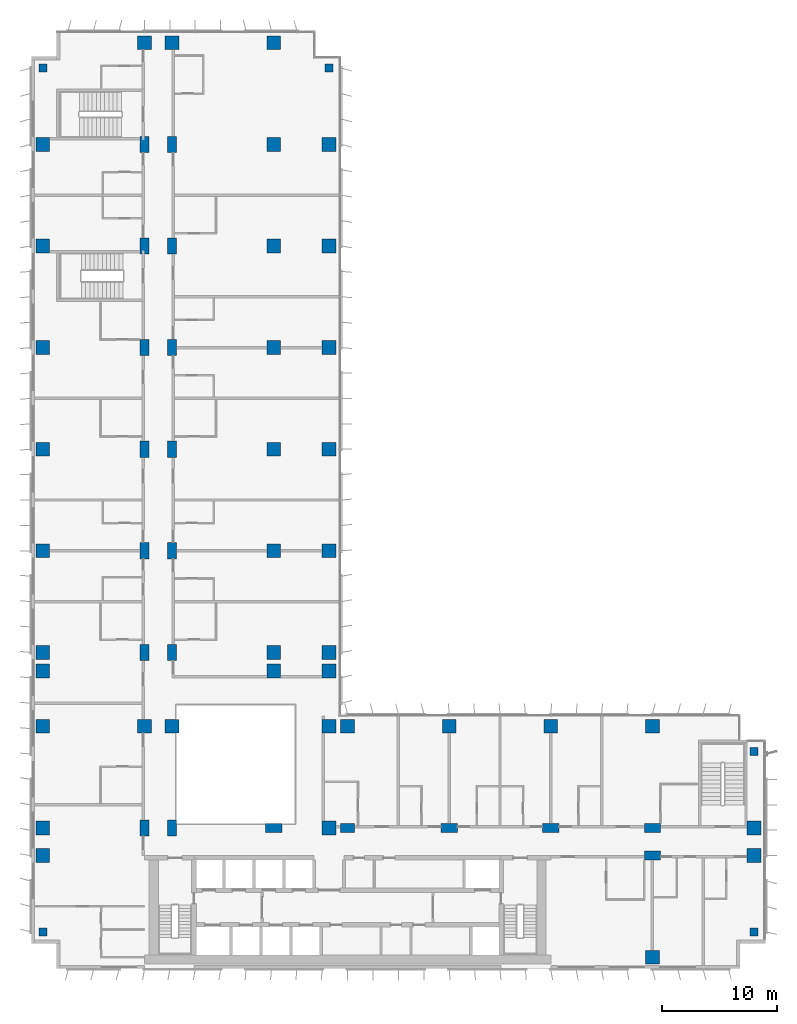
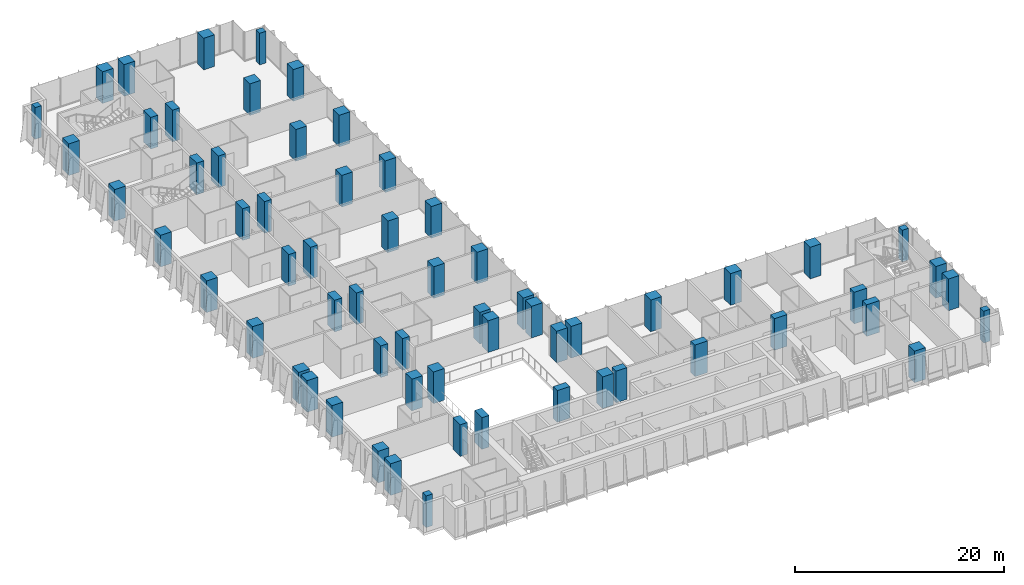
# One storey, part 1 of 23: 63 columns.
"""IFC4 building model written with IfcOpenShell, lengths in metres."""

from ifc_helpers import new_model, si_unit, direction, frame, origin, origin_2d, place, context, subcontext, project, spatial, rectangle, extrude, material, material_profile, profile_set, type_object, element, save


model = new_model("IFC4")

# Units and contexts
model_context = context("Model", 3, precision=1e-05, world=origin(), true_north=direction((0.0, 1.0)))
body_context = subcontext(model_context, "Body", "Model", "MODEL_VIEW")
ifc_project = project(units=[si_unit("LENGTHUNIT", "METRE"), si_unit("AREAUNIT", "SQUARE_METRE"), si_unit("VOLUMEUNIT", "CUBIC_METRE"), si_unit("PLANEANGLEUNIT", "RADIAN"), si_unit("MASSUNIT", "GRAM", prefix="KILO")], contexts=[model_context])

# Site, building, storey
site_placement = place(None, origin())
site = spatial("IfcSite", under=ifc_project, at=site_placement, CompositionType="ELEMENT")
building_placement = place(site_placement, origin())
building = spatial("IfcBuilding", under=site, at=building_placement, Name="Kemantara Hotel Tower", CompositionType="ELEMENT")
storey_placement = place(building_placement, frame((0.0, 0.0, 142.0)))
storey = spatial("IfcBuildingStorey", under=building, at=storey_placement, Name="L34", CompositionType="ELEMENT", Elevation=142.0)

# Columns
ifc_material = material(Name="Concrete fc 60 MPa", Category="concrete")
ifc_material_profile_1 = material_profile(ifc_material, rectangle(XDim=1.199951171875, YDim=1.199951171875, at=origin_2d()), Name="RC 1200X1200")
ifc_profile_set_1 = profile_set([ifc_material_profile_1], Name="Concrete fc 60 MPa")
column_type_1 = type_object("IfcColumnType", Name="RC COLUMN 1200X1200 FC60", PredefinedType="COLUMN", material=ifc_profile_set_1)
for number, where, z_axis, x_axis, name in (
    (1, (1.0, 9.800048828125, 0.0), (0.0, 0.0, 1.0), (1.0, 0.0, 0.0), "COLUMN 1/B L34"),
    (2, (1.0, 12.199951171875, 0.0), (0.0, 0.0, 1.0), (1.0, 0.0, 0.0), "COLUMN 1/BA L34"),
    (3, (1.0, 21.0, 0.0), (0.0, 0.0, 1.0), (1.0, 0.0, 0.0), "COLUMN 1/C L34"),
    (4, (1.0, 25.800048828125, 0.0), (0.0, 0.0, 1.0), (1.0, 0.0, 0.0), "COLUMN 1/CA L34"),
    (5, (1.0, 27.39990234375, 0.0), (0.0, 0.0, 1.0), (1.0, 0.0, 0.0), "COLUMN 1/D L34"),
    (6, (1.0, 36.199951171875, 0.0), (0.0, 0.0, 1.0), (1.0, 0.0, 0.0), "COLUMN 1/E L34"),
    (7, (1.0, 45.0, 0.0), (0.0, 0.0, 1.0), (1.0, 0.0, 0.0), "COLUMN 1/F L34"),
    (8, (1.0, 53.800048828125, 0.0), (0.0, 0.0, 1.0), (1.0, 0.0, 0.0), "COLUMN 1/G L34"),
    (9, (1.0, 62.60009765625, 0.0), (0.0, 0.0, 1.0), (1.0, 0.0, 0.0), "COLUMN 1/H L34"),
    (10, (1.0, 71.39990234375, 0.0), (0.0, 0.0, 1.0), (1.0, 0.0, 0.0), "COLUMN 1/J L34"),
    (11, (9.800048828125, 21.0, 0.0), (0.0, 0.0, 1.0), (1.0, 0.0, 0.0), "COLUMN 2/C L34"),
    (12, (9.800048828125, 80.199951171875, 0.0), (0.0, 0.0, 1.0), (1.0, 0.0, 0.0), "COLUMN 2/K L34"),
    (13, (12.199951171875, 21.0, 0.0), (0.0, 0.0, 1.0), (1.0, 0.0, 0.0), "COLUMN 2A/C L34"),
    (14, (12.199951171875, 80.199951171875, 0.0), (0.0, 0.0, 1.0), (1.0, 0.0, 0.0), "COLUMN 2A/K L34"),
    (15, (21.0, 25.800048828125, 0.0), (0.0, 0.0, 1.0), (1.0, 0.0, 0.0), "COLUMN 3/CA L34"),
    (16, (21.0, 27.39990234375, 0.0), (0.0, 0.0, 1.0), (1.0, 0.0, 0.0), "COLUMN 3/D L34"),
    (17, (21.0, 36.199951171875, 0.0), (0.0, 0.0, 1.0), (1.0, 0.0, 0.0), "COLUMN 3/E L34"),
    (18, (21.0, 45.0, 0.0), (0.0, 0.0, 1.0), (1.0, 0.0, 0.0), "COLUMN 3/F L34"),
    (19, (21.0, 53.800048828125, 0.0), (0.0, 0.0, 1.0), (1.0, 0.0, 0.0), "COLUMN 3/G L34"),
    (20, (21.0, 62.60009765625, 0.0), (0.0, 0.0, 1.0), (1.0, 0.0, 0.0), "COLUMN 3/H L34"),
    (21, (21.0, 71.39990234375, 0.0), (0.0, 0.0, 1.0), (1.0, 0.0, 0.0), "COLUMN 3/J L34"),
    (22, (21.0, 80.199951171875, 0.0), (0.0, 0.0, 1.0), (1.0, 0.0, 0.0), "COLUMN 3/K L34"),
    (23, (25.800048828125, 12.199951171875, 0.0), (0.0, 0.0, 1.0), (1.0, 0.0, 0.0), "COLUMN 3A/BA L34"),
    (24, (25.800048828125, 21.0, 0.0), (0.0, 0.0, 1.0), (1.0, 0.0, 0.0), "COLUMN 3A/C L34"),
    (25, (25.800048828125, 25.800048828125, 0.0), (0.0, 0.0, 1.0), (1.0, 0.0, 0.0), "COLUMN 3A/CA L34"),
    (26, (25.800048828125, 27.39990234375, 0.0), (0.0, 0.0, 1.0), (1.0, 0.0, 0.0), "COLUMN 3A/D L34"),
    (27, (25.800048828125, 36.199951171875, 0.0), (0.0, 0.0, 1.0), (1.0, 0.0, 0.0), "COLUMN 3A/E L34"),
    (28, (25.800048828125, 45.0, 0.0), (0.0, 0.0, 1.0), (1.0, 0.0, 0.0), "COLUMN 3A/F L34"),
    (29, (25.800048828125, 53.800048828125, 0.0), (0.0, 0.0, 1.0), (1.0, 0.0, 0.0), "COLUMN 3A/G L34"),
    (30, (25.800048828125, 62.60009765625, 0.0), (0.0, 0.0, 1.0), (1.0, 0.0, 0.0), "COLUMN 3A/H L34"),
    (31, (25.800048828125, 71.39990234375, 0.0), (0.0, 0.0, 1.0), (1.0, 0.0, 0.0), "COLUMN 3A/J L34"),
    (32, (27.39990234375, 21.0, 0.0), (0.0, 0.0, 1.0), (1.0, 0.0, 0.0), "COLUMN 4/C L34"),
    (33, (36.199951171875, 21.0, 0.0), (0.0, 0.0, 1.0), (1.0, 0.0, 0.0), "COLUMN 5/C L34"),
    (34, (45.0, 21.0, 0.0), (0.0, 0.0, 1.0), (1.0, 0.0, 0.0), "COLUMN 6/C L34"),
    (35, (53.800048828125, 1.0, 0.0), (0.0, 0.0, 1.0), (1.0, 0.0, 0.0), "COLUMN 7/A L34"),
    (36, (53.800048828125, 21.0, 0.0), (0.0, 0.0, 1.0), (1.0, 0.0, 0.0), "COLUMN 7/C L34"),
    (37, (62.60009765625, 9.800048828125, 0.0), (0.0, 0.0, 1.0), (1.0, 0.0, 0.0), "COLUMN 8/B L34"),
    (38, (62.60009765625, 12.199951171875, 0.0), (0.0, 0.0, 1.0), (1.0, 0.0, 0.0), "COLUMN 8/BA L34"),
):
    element("IfcColumn", number, at=place(storey_placement, frame(where, z_axis=z_axis, x_axis=x_axis)), inside=storey, type_object=column_type_1, Name=name, PredefinedType="COLUMN", context=body_context, shape_type="SweptSolid", body=[
        extrude(rectangle(XDim=1.199951171875, YDim=1.199951171875, at=origin_2d()), origin(), (0.0, 0.0, 1.0), 3.699951171875),
    ])
ifc_material_profile_2 = material_profile(ifc_material, rectangle(XDim=1.199951171875, YDim=0.800048828125, at=origin_2d()), Name="RC 1200X800")
ifc_profile_set_2 = profile_set([ifc_material_profile_2], Name="Concrete fc 60 MPa")
column_type_2 = type_object("IfcColumnType", Name="RC COLUMN 1200X800 FC60", PredefinedType="COLUMN", material=ifc_profile_set_2)
column_placement = place(storey_placement, frame((27.39990234375, 12.199951171875, 0.0), z_axis=(0.0, 0.0, 1.0), x_axis=(1.0, 0.0, 0.0)))
element("IfcColumn", 39, at=column_placement, inside=storey, type_object=column_type_2, Name="COLUMN 4/BA L34", PredefinedType="COLUMN", context=body_context, shape_type="SweptSolid", body=[
    extrude(rectangle(XDim=1.199951171875, YDim=0.800048828125, at=origin_2d()), origin(), (0.0, 0.0, 1.0), 3.699951171875),
])
ifc_material_profile_3 = material_profile(ifc_material, rectangle(XDim=1.39990234375, YDim=0.800048828125, at=origin_2d()), Name="RC 1400X800")
ifc_profile_set_3 = profile_set([ifc_material_profile_3], Name="Concrete fc 60 MPa")
column_type_3 = type_object("IfcColumnType", Name="RC COLUMN 1400X800 FC60", PredefinedType="COLUMN", material=ifc_profile_set_3)
for number, where, z_axis, x_axis, name in (
    (40, (9.800048828125, 12.199951171875, 0.0), (0.0, 0.0, 1.0), (0.0, 1.0, 0.0), "COLUMN 2/BA L34"),
    (41, (9.800048828125, 27.39990234375, 0.0), (0.0, 0.0, 1.0), (0.0, 1.0, 0.0), "COLUMN 2/D L34"),
    (42, (9.800048828125, 36.199951171875, 0.0), (0.0, 0.0, 1.0), (0.0, 1.0, 0.0), "COLUMN 2/E L34"),
    (43, (9.800048828125, 45.0, 0.0), (0.0, 0.0, 1.0), (0.0, 1.0, 0.0), "COLUMN 2/F L34"),
    (44, (9.800048828125, 53.800048828125, 0.0), (0.0, 0.0, 1.0), (0.0, 1.0, 0.0), "COLUMN 2/G L34"),
    (45, (9.800048828125, 62.60009765625, 0.0), (0.0, 0.0, 1.0), (0.0, 1.0, 0.0), "COLUMN 2/H L34"),
    (46, (9.800048828125, 71.39990234375, 0.0), (0.0, 0.0, 1.0), (0.0, 1.0, 0.0), "COLUMN 2/J L34"),
    (47, (12.199951171875, 12.199951171875, 0.0), (0.0, 0.0, 1.0), (0.0, 1.0, 0.0), "COLUMN 2A/BA L34"),
    (48, (12.199951171875, 27.39990234375, 0.0), (0.0, 0.0, 1.0), (0.0, 1.0, 0.0), "COLUMN 2A/D L34"),
    (49, (12.199951171875, 36.199951171875, 0.0), (0.0, 0.0, 1.0), (0.0, 1.0, 0.0), "COLUMN 2A/E L34"),
    (50, (12.199951171875, 45.0, 0.0), (0.0, 0.0, 1.0), (0.0, 1.0, 0.0), "COLUMN 2A/F L34"),
    (51, (12.199951171875, 53.800048828125, 0.0), (0.0, 0.0, 1.0), (0.0, 1.0, 0.0), "COLUMN 2A/G L34"),
    (52, (12.199951171875, 62.60009765625, 0.0), (0.0, 0.0, 1.0), (0.0, 1.0, 0.0), "COLUMN 2A/H L34"),
    (53, (12.199951171875, 71.39990234375, 0.0), (0.0, 0.0, 1.0), (0.0, 1.0, 0.0), "COLUMN 2A/J L34"),
    (54, (21.0, 12.199951171875, 0.0), (0.0, 0.0, 1.0), (1.0, 0.0, 0.0), "COLUMN 3/BA L34"),
    (55, (36.199951171875, 12.199951171875, 0.0), (0.0, 0.0, 1.0), (1.0, 0.0, 0.0), "COLUMN 5/BA L34"),
    (56, (45.0, 12.199951171875, 0.0), (0.0, 0.0, 1.0), (1.0, 0.0, 0.0), "COLUMN 6/BA L34"),
    (57, (53.800048828125, 9.800048828125, 0.0), (0.0, 0.0, 1.0), (1.0, 0.0, 0.0), "COLUMN 7/B L34"),
    (58, (53.800048828125, 12.199951171875, 0.0), (0.0, 0.0, 1.0), (1.0, 0.0, 0.0), "COLUMN 7/BA L34"),
):
    element("IfcColumn", number, at=place(storey_placement, frame(where, z_axis=z_axis, x_axis=x_axis)), inside=storey, type_object=column_type_3, Name=name, PredefinedType="COLUMN", context=body_context, shape_type="SweptSolid", body=[
        extrude(rectangle(XDim=1.39990234375, YDim=0.800048828125, at=origin_2d()), origin(), (0.0, 0.0, 1.0), 3.699951171875),
    ])
ifc_material_profile_4 = material_profile(ifc_material, rectangle(XDim=0.699951171875, YDim=0.699951171875, at=origin_2d()), Name="RC 700X700")
ifc_profile_set_4 = profile_set([ifc_material_profile_4], Name="Concrete fc 60 MPa")
column_type_4 = type_object("IfcColumnType", Name="RC COLUMN 700X700 FC60", PredefinedType="COLUMN", material=ifc_profile_set_4)
for number, where, z_axis, x_axis, name in (
    (59, (1.0, 3.199951171875, 0.0), (0.0, 0.0, 1.0), (1.0, 0.0, 0.0), "COLUMN notch corner L34"),
    (60, (1.0, 78.0, 0.0), (0.0, 0.0, 1.0), (1.0, 0.0, 0.0), "COLUMN notch corner L34"),
    (61, (25.800048828125, 78.0, 0.0), (0.0, 0.0, 1.0), (1.0, 0.0, 0.0), "COLUMN notch corner L34"),
    (62, (62.60009765625, 3.199951171875, 0.0), (0.0, 0.0, 1.0), (1.0, 0.0, 0.0), "COLUMN notch corner L34"),
    (63, (62.60009765625, 18.800048828125, 0.0), (0.0, 0.0, 1.0), (1.0, 0.0, 0.0), "COLUMN notch corner L34"),
):
    element("IfcColumn", number, at=place(storey_placement, frame(where, z_axis=z_axis, x_axis=x_axis)), inside=storey, type_object=column_type_4, Name=name, PredefinedType="COLUMN", context=body_context, shape_type="SweptSolid", body=[
        extrude(rectangle(XDim=0.699951171875, YDim=0.699951171875, at=origin_2d()), origin(), (0.0, 0.0, 1.0), 3.699951171875),
    ])

save(model, "model.ifc")
